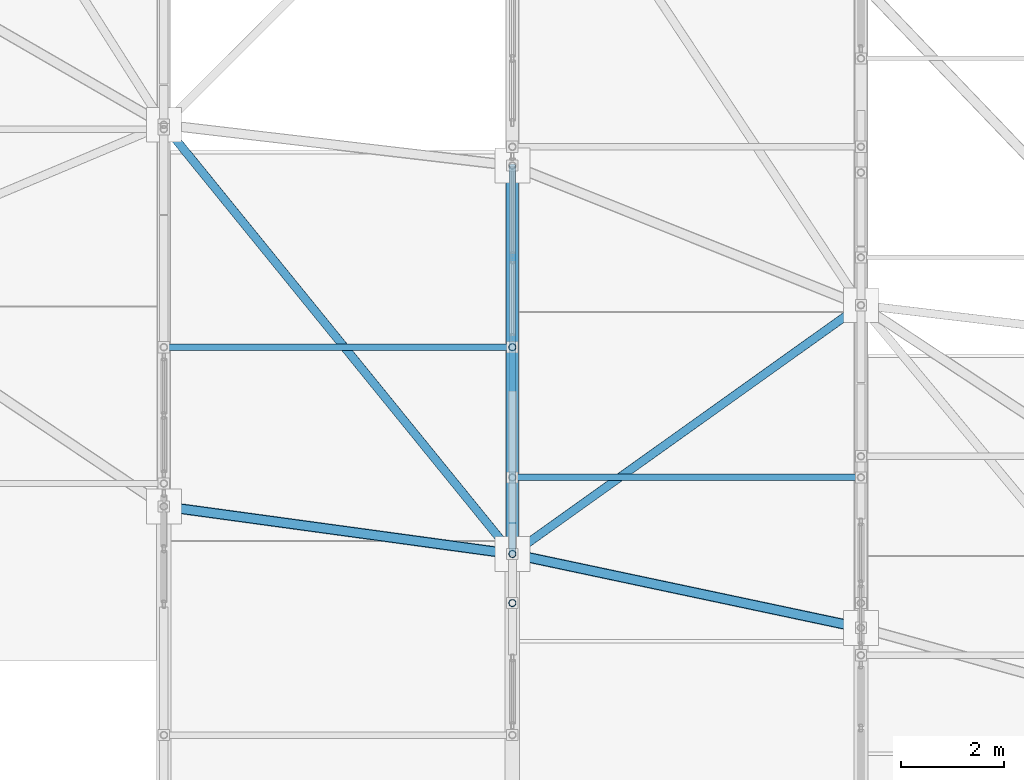
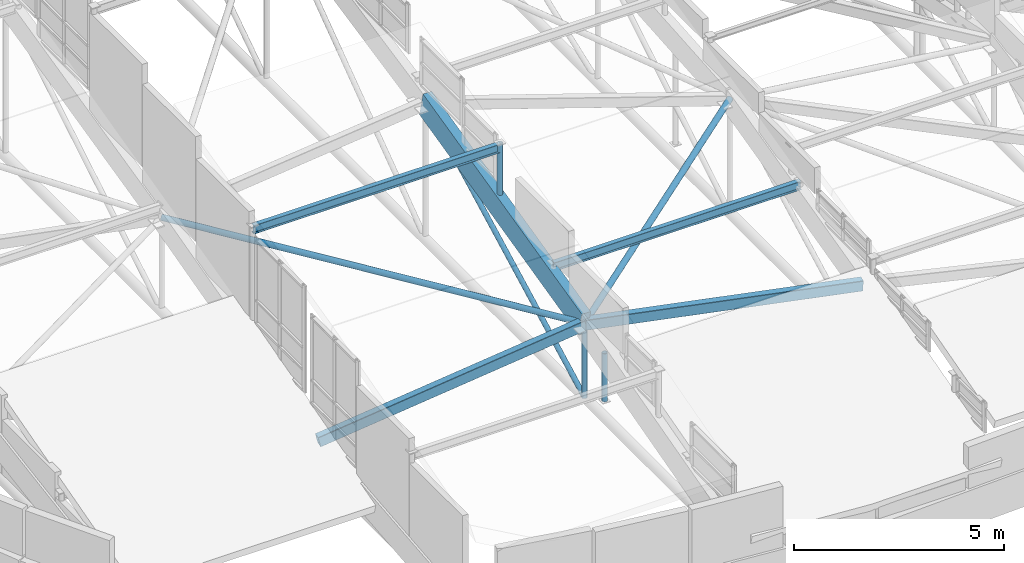
# One storey, part 8 of 188: 11 members.
"""IFC4 building model written with IfcOpenShell, lengths in metres."""

from ifc_helpers import new_model, si_unit, direction, frame, origin, origin_2d, place, context, subcontext, project, spatial, rectangle, hollow_rectangle, hollow_circle, i_section, extrude, material, material_profile, profile_set, type_object, element, save


model = new_model("IFC4")

# Units and contexts
model_context = context("Model", 3, precision=1e-05, world=origin(), true_north=direction((0.0, 1.0)))
body_context = subcontext(model_context, "Body", "Model", "MODEL_VIEW")
ifc_project = project(units=[si_unit("LENGTHUNIT", "METRE"), si_unit("AREAUNIT", "SQUARE_METRE"), si_unit("VOLUMEUNIT", "CUBIC_METRE"), si_unit("PLANEANGLEUNIT", "RADIAN"), si_unit("MASSUNIT", "GRAM", prefix="KILO")], contexts=[model_context])

# Site, building, storey
site_placement = place(None, origin())
site = spatial("IfcSite", under=ifc_project, at=site_placement, CompositionType="ELEMENT")
building_placement = place(site_placement, origin())
building = spatial("IfcBuilding", under=site, at=building_placement, Name="Kisaragi Civic Commons", CompositionType="ELEMENT")
storey_placement = place(building_placement, frame((0.0, 0.0, 9.60009765625)))
storey = spatial("IfcBuildingStorey", under=building, at=storey_placement, Name="L02", CompositionType="ELEMENT", Elevation=9.60009765625)

# Members
ifc_material_1 = material(Name="Steel SN400 (SN400B)", Category="steel")
ifc_material_profile_1 = material_profile(ifc_material_1, hollow_circle(Radius=0.08251953125, WallThickness=0.006103515625, at=origin_2d()), Name="CHS-165.2x6.0", Category="steel")
ifc_profile_set_1 = profile_set([ifc_material_profile_1], Name="Steel SN400 (SN400B)")
member_type_1 = type_object("IfcMemberType", Name="BR-02", PredefinedType="BRACE", material=ifc_profile_set_1)
member_1_placement = place(storey_placement, frame((13.60009765625, 17.73046875, 2.0341796875), z_axis=(0.630000705186, -0.775761316425, -0.035965141507), x_axis=(0.776263523975, 0.630408551136, 0.0)))
element("IfcMember", 1, at=member_1_placement, inside=storey, type_object=member_type_1, Name="V1 diagonal gridshell steel brace 13", PredefinedType="BRACE", context=body_context, shape_type="SweptSolid", body=[
    extrude(hollow_circle(Radius=0.08251953125, WallThickness=0.006103515625, at=origin_2d()), origin(), (0.0, 0.0, 1.0), 10.793212890625),
])
member_2_placement = place(storey_placement, frame((20.39990234375, 9.357421875, 1.64599609375), z_axis=(0.805506348525, 0.574985718644, 0.14335601083), x_axis=(-0.580986622057, 0.813913106536, 0.0)))
element("IfcMember", 2, at=member_2_placement, inside=storey, type_object=member_type_1, Name="V1 diagonal gridshell steel brace 19", PredefinedType="BRACE", context=body_context, shape_type="SweptSolid", body=[
    extrude(hollow_circle(Radius=0.08251953125, WallThickness=0.006103515625, at=origin_2d()), origin(), (0.0, 0.0, 1.0), 8.44189453125),
])
ifc_material_2 = material(Name="Steel SN490 (SN490B)", Category="steel")
ifc_material_profile_2 = material_profile(ifc_material_2, hollow_rectangle(XDim=0.199951171875, YDim=0.300048828125, WallThickness=0.009033203125, InnerFilletRadius=0.009033203125, OuterFilletRadius=0.01806640625, at=origin_2d()), Name="STKR-300x200x9", Category="steel")
ifc_profile_set_2 = profile_set([ifc_material_profile_2], Name="Steel SN490 (SN490B)")
member_type_2 = type_object("IfcMemberType", Name="GC-02", PredefinedType="CHORD", material=ifc_profile_set_2)
member_3_placement = place(storey_placement, frame((13.60009765625, 10.28564453125, 0.060302734375), z_axis=(0.965377335976, -0.131781007877, 0.225123000042), x_axis=(0.135252902267, 0.990811108349, 0.0)))
element("IfcMember", 3, at=member_3_placement, inside=storey, type_object=member_type_2, Name="V1 wave gridshell chord GC-02 15", PredefinedType="CHORD", context=body_context, shape_type="SweptSolid", body=[
    extrude(hollow_rectangle(XDim=0.199951171875, YDim=0.300048828125, WallThickness=0.009033203125, InnerFilletRadius=0.009033203125, OuterFilletRadius=0.01806640625, at=origin_2d()), origin(), (0.0, 0.0, 1.0), 7.043701171875),
])
member_4_placement = place(storey_placement, frame((20.39990234375, 9.357421875, 1.64599609375), z_axis=(0.976987731939, -0.206951768874, -0.051632712505), x_axis=(0.20722818186, 0.978292635484, 0.0)))
element("IfcMember", 4, at=member_4_placement, inside=storey, type_object=member_type_2, Name="V1 wave gridshell chord GC-02 22", PredefinedType="CHORD", context=body_context, shape_type="SweptSolid", body=[
    extrude(hollow_rectangle(XDim=0.199951171875, YDim=0.300048828125, WallThickness=0.009033203125, InnerFilletRadius=0.009033203125, OuterFilletRadius=0.01806640625, at=origin_2d()), origin(), (0.0, 0.0, 1.0), 6.960205078125),
])
ifc_material_3 = material(Name="Glulam E120-F330", Category="wood")
ifc_material_profile_3 = material_profile(ifc_material_3, rectangle(XDim=0.239990234375, YDim=0.719970703125, at=origin_2d()), Name="GL-240x720", Category="wood")
ifc_profile_set_3 = profile_set([ifc_material_profile_3], Name="Glulam E120-F330")
member_type_3 = type_object("IfcMemberType", Name="GR-02", PredefinedType="RAFTER", material=ifc_profile_set_3)
member_5_placement = place(storey_placement, frame((20.39990234375, 9.357421875, 1.64599609375), z_axis=(0.0, 0.972388155107, 0.233369397751), x_axis=(-1.0, 0.0, 0.0)))
element("IfcMember", 5, at=member_5_placement, inside=storey, type_object=member_type_3, Name="V1 glulam arch rib GR-02 26", PredefinedType="RAFTER", context=body_context, shape_type="SweptSolid", body=[
    extrude(rectangle(XDim=0.239990234375, YDim=0.719970703125, at=origin_2d()), origin(), (0.0, 0.0, 1.0), 7.792724609375),
])
ifc_material_profile_4 = material_profile(ifc_material_1, i_section(OverallWidth=0.125, OverallDepth=0.25, WebThickness=0.006103515625, FlangeThickness=0.009033203125, FilletRadius=0.008056640625, at=origin_2d()), Name="H-250x125x6x9", Category="steel")
ifc_profile_set_4 = profile_set([ifc_material_profile_4], Name="Steel SN400 (SN400B)")
member_type_4 = type_object("IfcMemberType", Name="PR-01", PredefinedType="PURLIN", material=ifc_profile_set_4)
member_6_placement = place(storey_placement, frame((13.60009765625, 13.391845703125, 4.332275390625), z_axis=(1.0, 0.0, 0.0), x_axis=(0.0, 1.0, 0.0)))
element("IfcMember", 6, at=member_6_placement, inside=storey, type_object=member_type_4, Name="V1 wave vault steel purlin 18", PredefinedType="PURLIN", context=body_context, shape_type="SweptSolid", body=[
    extrude(i_section(OverallWidth=0.125, OverallDepth=0.25, WebThickness=0.006103515625, FlangeThickness=0.009033203125, FilletRadius=0.008056640625, at=origin_2d()), origin(), (0.0, 0.0, 1.0), 6.7998046875),
])
member_7_placement = place(storey_placement, frame((20.39990234375, 10.851806640625, 2.40966796875), z_axis=(1.0, 0.0, 0.0), x_axis=(0.0, 1.0, 0.0)))
element("IfcMember", 7, at=member_7_placement, inside=storey, type_object=member_type_4, Name="V1 wave vault steel purlin 26", PredefinedType="PURLIN", context=body_context, shape_type="SweptSolid", body=[
    extrude(i_section(OverallWidth=0.125, OverallDepth=0.25, WebThickness=0.006103515625, FlangeThickness=0.009033203125, FilletRadius=0.008056640625, at=origin_2d()), origin(), (0.0, 0.0, 1.0), 6.800048828125),
])
ifc_material_profile_5 = material_profile(ifc_material_2, hollow_circle(Radius=0.06982421875, WallThickness=0.006103515625, at=origin_2d()), Name="CHS-139.8x6.0", Category="steel")
ifc_profile_set_5 = profile_set([ifc_material_profile_5], Name="Steel SN490 (SN490B)")
member_type_5 = type_object("IfcMemberType", Name="ST-H1", PredefinedType="STRUT", material=ifc_profile_set_5)
member_8_placement = place(storey_placement, frame((20.39990234375, 9.357421875, -0.49951171875), z_axis=(0.0, 0.0, 1.0), x_axis=(1.0, 0.0, 0.0)))
element("IfcMember", 8, at=member_8_placement, inside=storey, type_object=member_type_5, Name="V1 arch tie hanger strut 44", PredefinedType="STRUT", context=body_context, shape_type="SweptSolid", body=[
    extrude(hollow_circle(Radius=0.06982421875, WallThickness=0.006103515625, at=origin_2d()), origin(), (0.0, 0.0, 1.0), 2.1455078125),
])
member_9_placement = place(storey_placement, frame((20.39990234375, 9.357421875, -0.49951171875), z_axis=(0.0, 0.886077828745, 0.463536494147), x_axis=(-1.0, 0.0, 0.0)))
element("IfcMember", 9, at=member_9_placement, inside=storey, type_object=member_type_5, Name="V1 tied arch truss diagonal web strut 50", PredefinedType="STRUT", context=body_context, shape_type="SweptSolid", body=[
    extrude(hollow_circle(Radius=0.06982421875, WallThickness=0.006103515625, at=origin_2d()), origin(), (0.0, 0.0, 1.0), 8.552001953125),
])
member_10_placement = place(storey_placement, frame((20.39990234375, 8.39990234375, -0.02001953125), z_axis=(0.0, 0.0, 1.0), x_axis=(1.0, 0.0, 0.0)))
element("IfcMember", 10, at=member_10_placement, inside=storey, type_object=member_type_5, Name="V1 interior column arch support post (20.4,8.4)", PredefinedType="STRUT", context=body_context, shape_type="SweptSolid", body=[
    extrude(hollow_circle(Radius=0.06982421875, WallThickness=0.006103515625, at=origin_2d()), origin(), (0.0, 0.0, 1.0), 1.405517578125),
])
member_11_placement = place(storey_placement, frame((20.39990234375, 13.391845703125, 2.6142578125), z_axis=(0.0, 0.0, 1.0), x_axis=(1.0, 0.0, 0.0)))
element("IfcMember", 11, at=member_11_placement, inside=storey, type_object=member_type_5, Name="V1 clerestory monitor horizontal tie strut 3.3.2", PredefinedType="STRUT", context=body_context, shape_type="SweptSolid", body=[
    extrude(hollow_circle(Radius=0.06982421875, WallThickness=0.006103515625, at=origin_2d()), origin(), (0.0, 0.0, 1.0), 1.843017578125),
])

save(model, "model.ifc")
